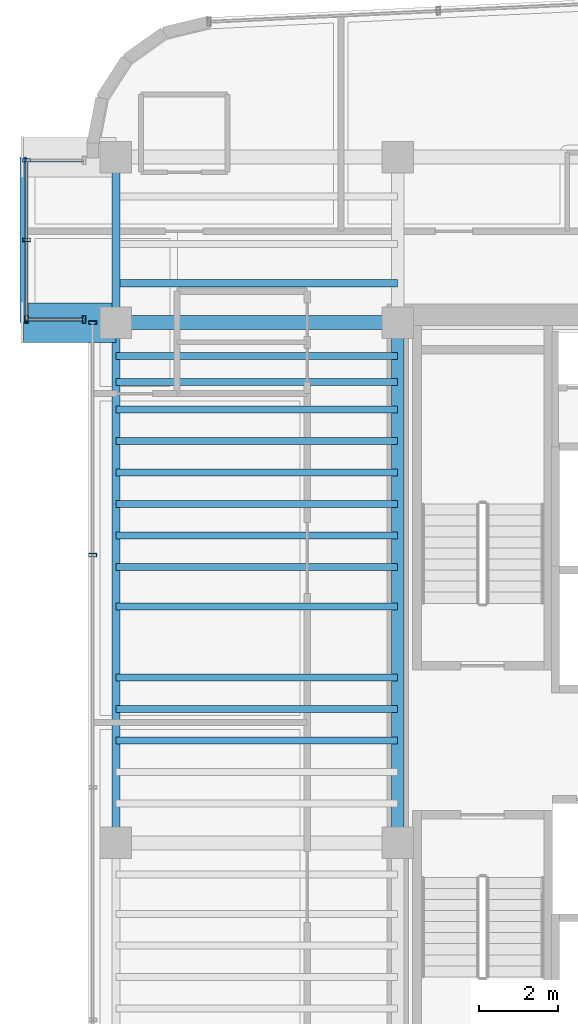
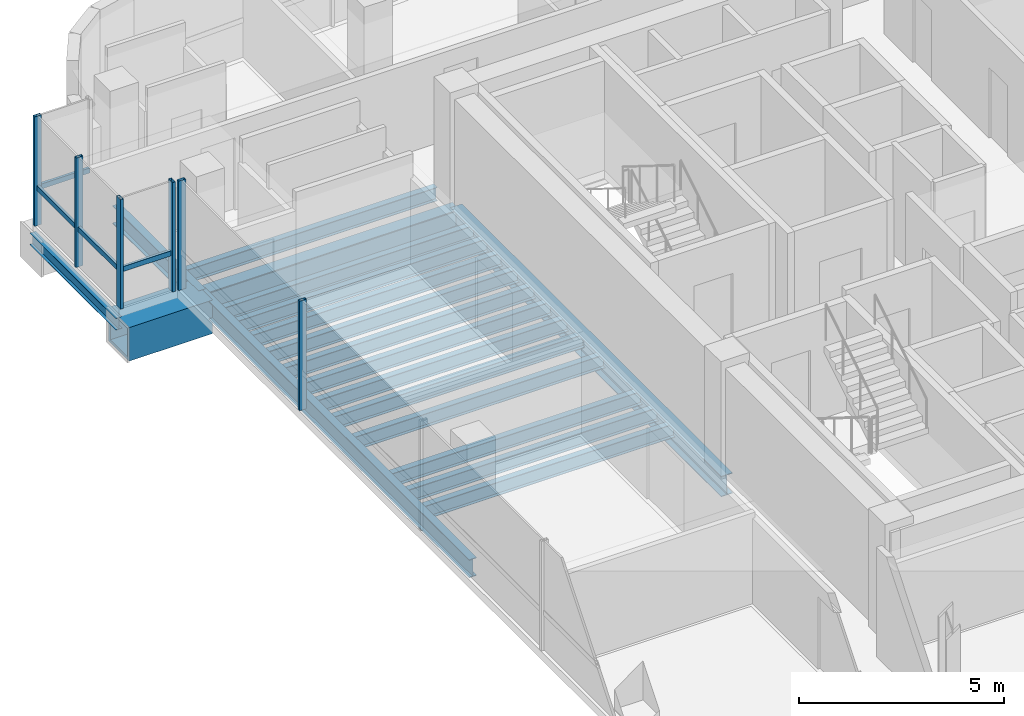
# One storey, part 7 of 21: 19 beams, 9 members, 4 elements without a shape of their own.
"""IFC4 building model written with IfcOpenShell, lengths in metres."""

from ifc_helpers import new_model, si_unit, direction, frame, origin, origin_2d, place, context, subcontext, project, spatial, hollow_rectangle, i_section, extrude, source, transform, mapped, material, material_profile, profile_set, type_object, element, aggregate, save


model = new_model("IFC4")

# Units and contexts
model_context = context("Model", 3, precision=1e-05, world=origin(), true_north=direction((0.0, 1.0)))
body_context = subcontext(model_context, "Body", "Model", "MODEL_VIEW")
ifc_project = project(units=[si_unit("LENGTHUNIT", "METRE"), si_unit("AREAUNIT", "SQUARE_METRE"), si_unit("VOLUMEUNIT", "CUBIC_METRE"), si_unit("PLANEANGLEUNIT", "RADIAN"), si_unit("MASSUNIT", "GRAM", prefix="KILO")], contexts=[model_context])

# Site, building, storey
site_placement = place(None, origin())
site = spatial("IfcSite", under=ifc_project, at=site_placement, CompositionType="ELEMENT")
building_placement = place(site_placement, origin())
building = spatial("IfcBuilding", under=site, at=building_placement, Name="Valdorenza Pilgrim Sanctuary Tower", CompositionType="ELEMENT")
storey_placement = place(building_placement, frame((0.0, 0.0, 251.0)))
storey = spatial("IfcBuildingStorey", under=building, at=storey_placement, Name="L65", CompositionType="ELEMENT", Elevation=251.0)

# Beams
ifc_material_1 = material(Name="Steel ASTM A992 Grade 50", Category="steel")
ifc_material_profile_1 = material_profile(ifc_material_1, i_section(OverallWidth=0.323974609375, OverallDepth=0.611083984375, WebThickness=0.0126953125, FlangeThickness=0.01904296875, at=origin_2d()), Name="W24X104")
ifc_profile_set_1 = profile_set([ifc_material_profile_1], Name="Steel ASTM A992 Grade 50")
beam_type_1 = type_object("IfcBeamType", Name="STR-BM-GRD-W24B", PredefinedType="BEAM", material=ifc_profile_set_1)
shared_shape_1 = source(origin(), body_context, "Body", "SweptSolid", [
    extrude(i_section(OverallWidth=0.323974609375, OverallDepth=0.611083984375, WebThickness=0.0126953125, FlangeThickness=0.01904296875, at=origin_2d()), origin(), (0.0, 0.0, 1.0), 13.2001953125),
])
beam_1_placement = place(storey_placement, frame((-22.64990234375, -2.60009765625, -0.54541015625), z_axis=(0.0, 1.0, 0.0), x_axis=(-1.0, 0.0, 0.0)))
element("IfcBeam", 1, at=beam_1_placement, inside=storey, type_object=beam_type_1, Name="L65 Core Tie Girder CA-W-M0N1", PredefinedType="BEAM", context=body_context, shape_type="MappedRepresentation", body=[
    mapped(shared_shape_1, transform((0.0, 0.0, 0.0), x_axis=(1.0, 0.0, 0.0), y_axis=(0.0, 1.0, 0.0), z_axis=(0.0, 0.0, 1.0), scale=1.0)),
])
ifc_material_profile_2 = material_profile(ifc_material_1, i_section(OverallWidth=0.1708984375, OverallDepth=0.35107421875, WebThickness=0.0068359375, FlangeThickness=0.009765625, at=origin_2d()), Name="W14X30")
ifc_profile_set_2 = profile_set([ifc_material_profile_2], Name="Steel ASTM A992 Grade 50")
beam_type_2 = type_object("IfcBeamType", Name="STR-BM-BOX-W14", PredefinedType="BEAM", material=ifc_profile_set_2)
shared_shape_2 = source(origin(), body_context, "Body", "SweptSolid", [
    extrude(i_section(OverallWidth=0.1708984375, OverallDepth=0.35107421875, WebThickness=0.0068359375, FlangeThickness=0.009765625, at=origin_2d()), origin(), (0.0, 0.0, 1.0), 4.199951171875),
])
beam_2_placement = place(storey_placement, frame((-32.14990234375, 10.60009765625, -0.41552734375), z_axis=(0.0, 1.0, 0.0), x_axis=(-1.0, 0.0, 0.0)))
element("IfcBeam", 2, at=beam_2_placement, inside=storey, type_object=beam_type_2, Name="L65 Glass Box Edge Beam BOX-WA-L65-F", PredefinedType="BEAM", context=body_context, shape_type="MappedRepresentation", body=[
    mapped(shared_shape_2, transform((0.0, 0.0, 0.0), x_axis=(1.0, 0.0, 0.0), y_axis=(0.0, 1.0, 0.0), z_axis=(0.0, 0.0, 1.0), scale=1.0)),
])
ifc_material_profile_3 = material_profile(ifc_material_1, i_section(OverallWidth=0.2109375, OverallDepth=0.5390625, WebThickness=0.01171875, FlangeThickness=0.018798828125, at=origin_2d()), Name="W21X73")
ifc_profile_set_3 = profile_set([ifc_material_profile_3], Name="Steel ASTM A992 Grade 50")
beam_type_3 = type_object("IfcBeamType", Name="STR-BM-SPN-W21B", PredefinedType="SPANDREL", material=ifc_profile_set_3)
shared_shape_3 = source(origin(), body_context, "Body", "SweptSolid", [
    extrude(i_section(OverallWidth=0.2109375, OverallDepth=0.5390625, WebThickness=0.01171875, FlangeThickness=0.018798828125, at=origin_2d()), origin(), (0.0, 0.0, 1.0), 13.2001953125),
])
beam_3_placement = place(storey_placement, frame((-29.800048828125, -2.60009765625, -0.509521484375), z_axis=(0.0, 1.0, 0.0), x_axis=(-1.0, 0.0, 0.0)))
element("IfcBeam", 3, at=beam_3_placement, inside=storey, type_object=beam_type_3, Name="L65 Spandrel Beam WA-W-M0N1", PredefinedType="SPANDREL", context=body_context, shape_type="MappedRepresentation", body=[
    mapped(shared_shape_3, transform((0.0, 0.0, 0.0), x_axis=(1.0, 0.0, 0.0), y_axis=(0.0, 1.0, 0.0), z_axis=(0.0, 0.0, 1.0), scale=1.0)),
])
shared_shape_4 = source(origin(), body_context, "Body", "SweptSolid", [
    extrude(i_section(OverallWidth=0.2109375, OverallDepth=0.5390625, WebThickness=0.01171875, FlangeThickness=0.018798828125, at=origin_2d()), origin(), (0.0, 0.0, 1.0), 4.199951171875),
])
beam_4_placement = place(storey_placement, frame((-29.800048828125, 10.60009765625, -0.509521484375), z_axis=(0.0, 1.0, 0.0), x_axis=(-1.0, 0.0, 0.0)))
element("IfcBeam", 4, at=beam_4_placement, inside=storey, type_object=beam_type_3, Name="L65 Spandrel Beam WA-W-N1N2", PredefinedType="SPANDREL", context=body_context, shape_type="MappedRepresentation", body=[
    mapped(shared_shape_4, transform((0.0, 0.0, 0.0), x_axis=(1.0, 0.0, 0.0), y_axis=(0.0, 1.0, 0.0), z_axis=(0.0, 0.0, 1.0), scale=1.0)),
])
ifc_material_profile_4 = material_profile(ifc_material_1, i_section(OverallWidth=0.35595703125, OverallDepth=0.700927734375, WebThickness=0.016845703125, FlangeThickness=0.02734375, at=origin_2d()), Name="W27X161")
ifc_profile_set_4 = profile_set([ifc_material_profile_4], Name="Steel ASTM A992 Grade 50")
beam_type_4 = type_object("IfcBeamType", Name="STR-BM-GRD-W27", PredefinedType="BEAM", material=ifc_profile_set_4)
shared_shape_5 = source(origin(), body_context, "Body", "SweptSolid", [
    extrude(i_section(OverallWidth=0.35595703125, OverallDepth=0.700927734375, WebThickness=0.016845703125, FlangeThickness=0.02734375, at=origin_2d()), origin(), (0.0, 0.0, 1.0), 7.150146484375),
])
beam_5_placement = place(storey_placement, frame((-29.800048828125, 10.60009765625, -0.590576171875), z_axis=(1.0, 0.0, 0.0), x_axis=(0.0, 1.0, 0.0)))
element("IfcBeam", 5, at=beam_5_placement, inside=storey, type_object=beam_type_4, Name="L65 Floor Girder WA-XW-N1", PredefinedType="BEAM", context=body_context, shape_type="MappedRepresentation", body=[
    mapped(shared_shape_5, transform((0.0, 0.0, 0.0), x_axis=(1.0, 0.0, 0.0), y_axis=(0.0, 1.0, 0.0), z_axis=(0.0, 0.0, 1.0), scale=1.0)),
])
ifc_material_profile_5 = material_profile(ifc_material_1, i_section(OverallWidth=0.177978515625, OverallDepth=0.406005859375, WebThickness=0.0078125, FlangeThickness=0.0126953125, at=origin_2d()), Name="W16X40")
ifc_profile_set_5 = profile_set([ifc_material_profile_5], Name="Steel ASTM A992 Grade 50")
beam_type_5 = type_object("IfcBeamType", Name="STR-BM-JST-W16", PredefinedType="JOIST", material=ifc_profile_set_5)
shared_shape_6 = source(origin(), body_context, "Body", "SweptSolid", [
    extrude(i_section(OverallWidth=0.177978515625, OverallDepth=0.406005859375, WebThickness=0.0078125, FlangeThickness=0.0126953125, at=origin_2d()), origin(), (0.0, 0.0, 1.0), 7.150146484375),
])
for number, where, z_axis, x_axis, name in (
    (6, (-29.800048828125, 0.0, -0.443115234375), (1.0, 0.0, 0.0), (0.0, 1.0, 0.0), "L65 Composite Floor Joist JST-WA-12"),
    (7, (-29.800048828125, 0.800048828125, -0.443115234375), (1.0, 0.0, 0.0), (0.0, 1.0, 0.0), "L65 Composite Floor Joist JST-WA-13"),
    (8, (-29.800048828125, 1.60009765625, -0.443115234375), (1.0, 0.0, 0.0), (0.0, 1.0, 0.0), "L65 Composite Floor Joist JST-WA-14"),
    (9, (-29.800048828125, 3.39990234375, -0.443115234375), (1.0, 0.0, 0.0), (0.0, 1.0, 0.0), "L65 Composite Floor Joist JST-WA-15"),
    (10, (-29.800048828125, 4.39990234375, -0.443115234375), (1.0, 0.0, 0.0), (0.0, 1.0, 0.0), "L65 Composite Floor Joist JST-WA-16"),
    (11, (-29.800048828125, 5.199951171875, -0.443115234375), (1.0, 0.0, 0.0), (0.0, 1.0, 0.0), "L65 Composite Floor Joist JST-WA-17"),
    (12, (-29.800048828125, 6.0, -0.443115234375), (1.0, 0.0, 0.0), (0.0, 1.0, 0.0), "L65 Composite Floor Joist JST-WA-18"),
    (13, (-29.800048828125, 6.800048828125, -0.443115234375), (1.0, 0.0, 0.0), (0.0, 1.0, 0.0), "L65 Composite Floor Joist JST-WA-19"),
    (14, (-29.800048828125, 7.60009765625, -0.443115234375), (1.0, 0.0, 0.0), (0.0, 1.0, 0.0), "L65 Composite Floor Joist JST-WA-20"),
    (15, (-29.800048828125, 8.39990234375, -0.443115234375), (1.0, 0.0, 0.0), (0.0, 1.0, 0.0), "L65 Composite Floor Joist JST-WA-21"),
    (16, (-29.800048828125, 9.10009765625, -0.443115234375), (1.0, 0.0, 0.0), (0.0, 1.0, 0.0), "L65 Composite Floor Joist JST-WA-22"),
    (17, (-29.800048828125, 9.75, -0.443115234375), (1.0, 0.0, 0.0), (0.0, 1.0, 0.0), "L65 Composite Floor Joist JST-WA-23"),
    (18, (-29.800048828125, 11.60009765625, -0.443115234375), (1.0, 0.0, 0.0), (0.0, 1.0, 0.0), "L65 Composite Floor Joist JST-WA-24"),
):
    element("IfcBeam", number, at=place(storey_placement, frame(where, z_axis=z_axis, x_axis=x_axis)), inside=storey, type_object=beam_type_5, Name=name, PredefinedType="JOIST", context=body_context, shape_type="MappedRepresentation", body=[
        mapped(shared_shape_6, transform((0.0, 0.0, 0.0), x_axis=(1.0, 0.0, 0.0), y_axis=(0.0, 1.0, 0.0), z_axis=(0.0, 0.0, 1.0), scale=1.0)),
    ])
ifc_material_2 = material(Name="Steel ASTM A572 Grade 42", Category="steel")
ifc_material_profile_6 = material_profile(ifc_material_2, hollow_rectangle(XDim=1.0, YDim=1.0, WallThickness=0.080078125, at=origin_2d()), Name="BOX 1000x1000x80")
ifc_profile_set_6 = profile_set([ifc_material_profile_6], Name="Steel ASTM A572 Grade 42")
beam_type_6 = type_object("IfcBeamType", Name="STR-BM-PROW-CANT", PredefinedType="BEAM", material=ifc_profile_set_6)
shared_shape_7 = source(origin(), body_context, "Body", "SweptSolid", [
    extrude(hollow_rectangle(XDim=1.0, YDim=1.0, WallThickness=0.080078125, at=origin_2d()), origin(), (0.0, 0.0, 1.0), 2.349853515625),
])
beam_6_placement = place(storey_placement, frame((-29.800048828125, 10.60009765625, -0.739990234375), z_axis=(-1.0, 0.0, 0.0), x_axis=(0.0, -1.0, 0.0)))
element("IfcBeam", 19, at=beam_6_placement, inside=storey, type_object=beam_type_6, Name="L65 Glass Box Cantilever Beam BOX-WA-L65-CT-S", PredefinedType="BEAM", context=body_context, shape_type="MappedRepresentation", body=[
    mapped(shared_shape_7, transform((0.0, 0.0, 0.0), x_axis=(1.0, 0.0, 0.0), y_axis=(0.0, 1.0, 0.0), z_axis=(0.0, 0.0, 1.0), scale=1.0)),
])

# Curtain wall, member
ifc_material_3 = material(Name="Curtain-wall IGU glazing", Category="glass")
curtain_wall_type = type_object("IfcCurtainWallType", Name="CW-SYS-02", PredefinedType="NOTDEFINED", material=ifc_material_3)
curtain_wall_1_placement = place(storey_placement, origin())
curtain_wall_1 = element("IfcCurtainWall", 20, at=curtain_wall_1_placement, inside=storey, type_object=curtain_wall_type, Name="L65 Curtain Wall CW-L65-BOX-WA-L65-S", PredefinedType="NOTDEFINED")
ifc_material_4 = material(Name="Anodised aluminium AW-6060", Category="aluminium")
ifc_material_profile_7 = material_profile(ifc_material_4, hollow_rectangle(XDim=0.074951171875, YDim=0.14990234375, WallThickness=0.00390625, at=origin_2d()), Name="ALU-T 150x75x4")
ifc_profile_set_7 = profile_set([ifc_material_profile_7], Name="Anodised aluminium AW-6060")
member_type_1 = type_object("IfcMemberType", Name="CW-TRN-02", PredefinedType="USERDEFINED", material=ifc_profile_set_7)
shared_shape_8 = source(origin(), body_context, "Body", "SweptSolid", [
    extrude(hollow_rectangle(XDim=0.074951171875, YDim=0.14990234375, WallThickness=0.00390625, at=origin_2d()), origin(), (0.0, 0.0, 1.0), 1.4599609375),
])
member_1_placement = place(storey_placement, frame((-30.610107421875, 10.679931640625, 1.1201171875), z_axis=(-1.0, 0.0, 0.0), x_axis=(0.0, -1.0, 0.0)))
member_1 = element("IfcMember", 21, at=member_1_placement, type_object=member_type_1, Name="CW-L65-BOX-WA-L65-S Transom 1", ObjectType="TRANSOM", PredefinedType="USERDEFINED", context=body_context, shape_type="MappedRepresentation", body=[
    mapped(shared_shape_8, transform((0.0, 0.0, 0.0), x_axis=(1.0, 0.0, 0.0), y_axis=(0.0, 1.0, 0.0), z_axis=(0.0, 0.0, 1.0), scale=1.0)),
])

curtain_wall_2_placement = place(storey_placement, origin())
curtain_wall_2 = element("IfcCurtainWall", 22, at=curtain_wall_2_placement, inside=storey, type_object=curtain_wall_type, Name="L65 Curtain Wall CW-L65-BOX-WA-L65-N", PredefinedType="NOTDEFINED")
member_2_placement = place(storey_placement, frame((-32.070068359375, 14.719970703125, 1.1201171875), z_axis=(1.0, 0.0, 0.0), x_axis=(0.0, 1.0, 0.0)))
member_2 = element("IfcMember", 23, at=member_2_placement, type_object=member_type_1, Name="CW-L65-BOX-WA-L65-N Transom 1", ObjectType="TRANSOM", PredefinedType="USERDEFINED", context=body_context, shape_type="MappedRepresentation", body=[
    mapped(shared_shape_8, transform((0.0, 0.0, 0.0), x_axis=(1.0, 0.0, 0.0), y_axis=(0.0, 1.0, 0.0), z_axis=(0.0, 0.0, 1.0), scale=1.0)),
])
aggregate(curtain_wall_2, [member_2])

curtain_wall_3_placement = place(storey_placement, origin())
curtain_wall_3 = element("IfcCurtainWall", 24, at=curtain_wall_3_placement, inside=storey, type_object=curtain_wall_type, Name="L65 Curtain Wall CW-L65-BOX-WA-L65-F", PredefinedType="NOTDEFINED")
shared_shape_9 = source(origin(), body_context, "Body", "SweptSolid", [
    extrude(hollow_rectangle(XDim=0.074951171875, YDim=0.14990234375, WallThickness=0.00390625, at=origin_2d()), origin(), (0.0, 0.0, 1.0), 4.0400390625),
])
member_3_placement = place(storey_placement, frame((-32.070068359375, 10.679931640625, 1.1201171875), z_axis=(0.0, 1.0, 0.0), x_axis=(-1.0, 0.0, 0.0)))
member_3 = element("IfcMember", 25, at=member_3_placement, type_object=member_type_1, Name="CW-L65-BOX-WA-L65-F Transom 1", ObjectType="TRANSOM", PredefinedType="USERDEFINED", context=body_context, shape_type="MappedRepresentation", body=[
    mapped(shared_shape_9, transform((0.0, 0.0, 0.0), x_axis=(1.0, 0.0, 0.0), y_axis=(0.0, 1.0, 0.0), z_axis=(0.0, 0.0, 1.0), scale=1.0)),
])

# Curtain wall, members
curtain_wall_4_placement = place(storey_placement, origin())
curtain_wall_4 = element("IfcCurtainWall", 26, at=curtain_wall_4_placement, inside=storey, type_object=curtain_wall_type, Name="L65 Curtain Wall CW-L65-1-1S1", PredefinedType="NOTDEFINED")
ifc_material_profile_8 = material_profile(ifc_material_4, hollow_rectangle(XDim=0.0849609375, YDim=0.199951171875, WallThickness=0.0048828125, at=origin_2d()), Name="ALU-M 200x85x5")
ifc_profile_set_8 = profile_set([ifc_material_profile_8], Name="Anodised aluminium AW-6060")
member_type_2 = type_object("IfcMemberType", Name="CW-MUL-02", PredefinedType="MULLION", material=ifc_profile_set_8)
shared_shape_10 = source(origin(), body_context, "Body", "SweptSolid", [
    extrude(hollow_rectangle(XDim=0.0849609375, YDim=0.199951171875, WallThickness=0.0048828125, at=origin_2d()), origin(), (0.0, 0.0, 1.0), 3.260009765625),
])
member_4_placement = place(storey_placement, frame((-30.389892578125, 4.70263671875, 0.0), z_axis=(0.0, 0.0, 1.0), x_axis=(0.0, 1.0, 0.0)))
member_4 = element("IfcMember", 27, at=member_4_placement, type_object=member_type_2, Name="CW-L65-1-1S1 Mullion 4", PredefinedType="MULLION", context=body_context, shape_type="MappedRepresentation", body=[
    mapped(shared_shape_10, transform((0.0, 0.0, 0.0), x_axis=(1.0, 0.0, 0.0), y_axis=(0.0, 1.0, 0.0), z_axis=(0.0, 0.0, 1.0), scale=1.0)),
])
member_5_placement = place(storey_placement, frame((-30.389892578125, 10.60009765625, 0.0), z_axis=(0.0, 0.0, 1.0), x_axis=(0.0, 1.0, 0.0)))
member_5 = element("IfcMember", 28, at=member_5_placement, type_object=member_type_2, Name="CW-L65-1-1S1 Mullion 5", PredefinedType="MULLION", context=body_context, shape_type="MappedRepresentation", body=[
    mapped(shared_shape_10, transform((0.0, 0.0, 0.0), x_axis=(1.0, 0.0, 0.0), y_axis=(0.0, 1.0, 0.0), z_axis=(0.0, 0.0, 1.0), scale=1.0)),
])
aggregate(curtain_wall_4, [member_4, member_5])

# Member
member_6_placement = place(storey_placement, frame((-30.610107421875, 10.679931640625, 0.0), z_axis=(0.0, 0.0, 1.0), x_axis=(-1.0, 0.0, 0.0)))
member_6 = element("IfcMember", 29, at=member_6_placement, type_object=member_type_2, Name="CW-L65-BOX-WA-L65-S Mullion 1", PredefinedType="MULLION", context=body_context, shape_type="MappedRepresentation", body=[
    mapped(shared_shape_10, transform((0.0, 0.0, 0.0), x_axis=(1.0, 0.0, 0.0), y_axis=(0.0, 1.0, 0.0), z_axis=(0.0, 0.0, 1.0), scale=1.0)),
])

member_7_placement = place(storey_placement, frame((-32.070068359375, 10.679931640625, 0.0), z_axis=(0.0, 0.0, 1.0), x_axis=(-1.0, 0.0, 0.0)))
member_7 = element("IfcMember", 30, at=member_7_placement, type_object=member_type_2, Name="CW-L65-BOX-WA-L65-S Mullion 2", PredefinedType="MULLION", context=body_context, shape_type="MappedRepresentation", body=[
    mapped(shared_shape_10, transform((0.0, 0.0, 0.0), x_axis=(1.0, 0.0, 0.0), y_axis=(0.0, 1.0, 0.0), z_axis=(0.0, 0.0, 1.0), scale=1.0)),
])

aggregate(curtain_wall_1, [member_6, member_7, member_1])

member_8_placement = place(storey_placement, frame((-32.070068359375, 12.699951171875, 0.0), z_axis=(0.0, 0.0, 1.0), x_axis=(0.0, 1.0, 0.0)))
member_8 = element("IfcMember", 31, at=member_8_placement, type_object=member_type_2, Name="CW-L65-BOX-WA-L65-F Mullion 2", PredefinedType="MULLION", context=body_context, shape_type="MappedRepresentation", body=[
    mapped(shared_shape_10, transform((0.0, 0.0, 0.0), x_axis=(1.0, 0.0, 0.0), y_axis=(0.0, 1.0, 0.0), z_axis=(0.0, 0.0, 1.0), scale=1.0)),
])

member_9_placement = place(storey_placement, frame((-32.070068359375, 14.719970703125, 0.0), z_axis=(0.0, 0.0, 1.0), x_axis=(0.0, 1.0, 0.0)))
member_9 = element("IfcMember", 32, at=member_9_placement, type_object=member_type_2, Name="CW-L65-BOX-WA-L65-F Mullion 3", PredefinedType="MULLION", context=body_context, shape_type="MappedRepresentation", body=[
    mapped(shared_shape_10, transform((0.0, 0.0, 0.0), x_axis=(1.0, 0.0, 0.0), y_axis=(0.0, 1.0, 0.0), z_axis=(0.0, 0.0, 1.0), scale=1.0)),
])

aggregate(curtain_wall_3, [member_8, member_9, member_3])

save(model, "model.ifc")
